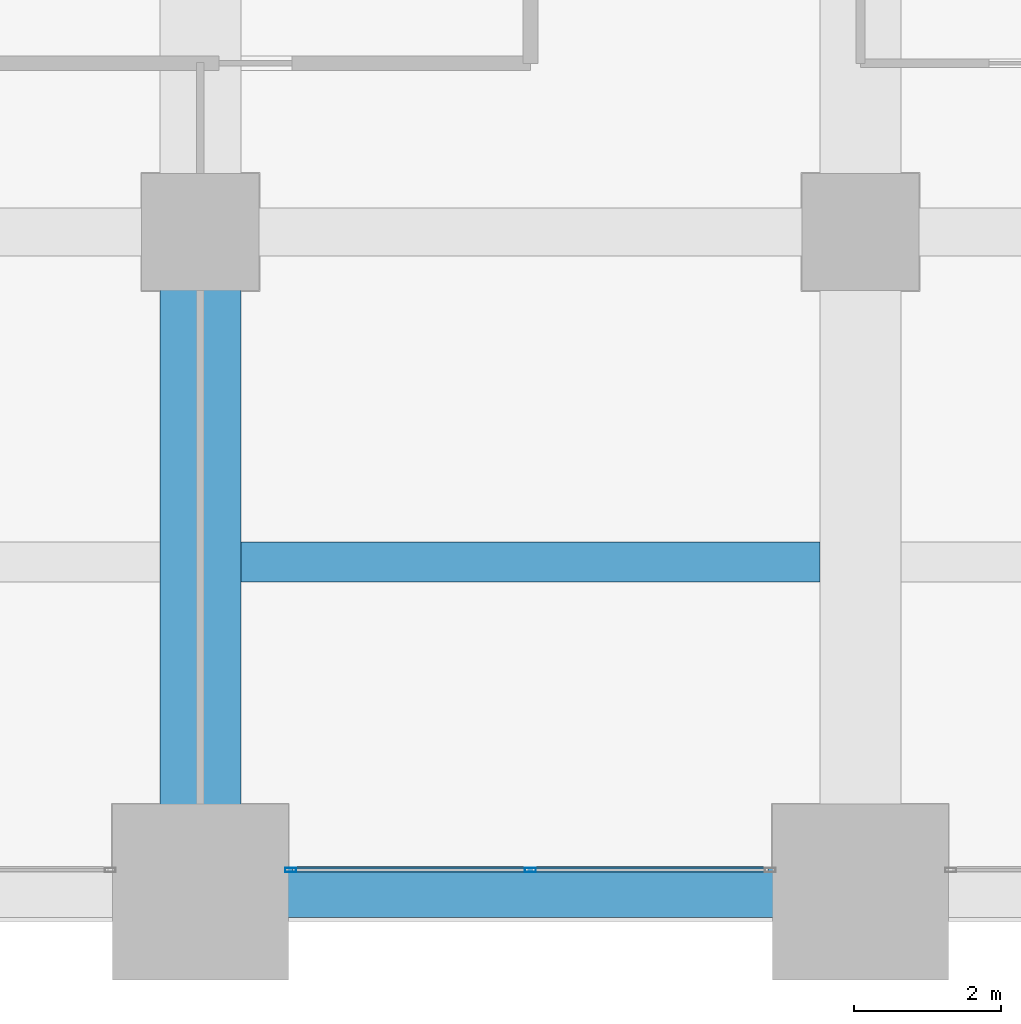
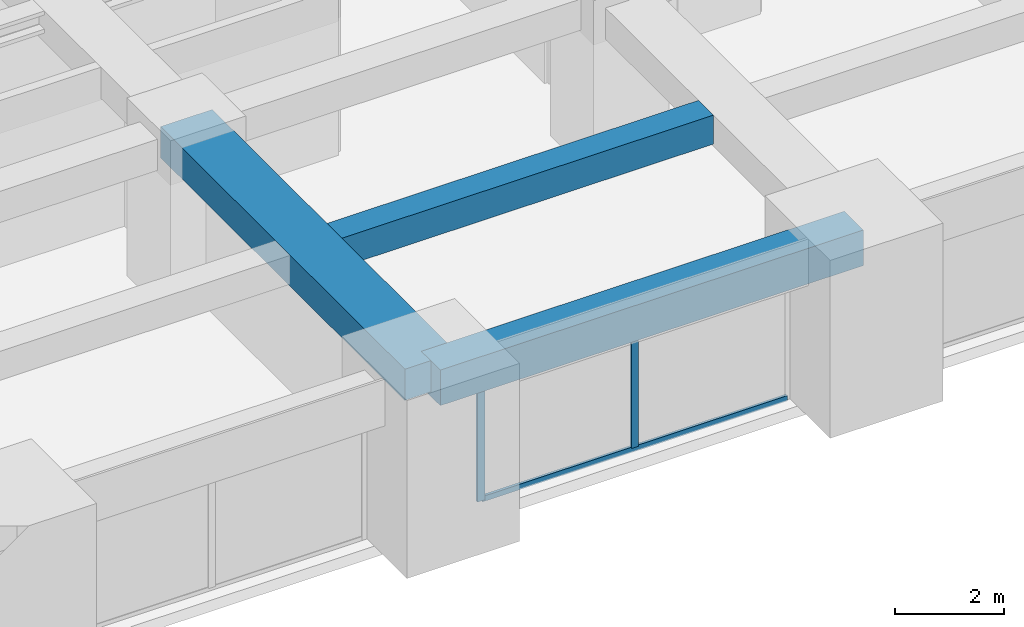
# One storey, part 7 of 32: 3 beams, 3 members, 1 element without a shape of its own.
"""IFC4 building model written with IfcOpenShell, lengths in metres."""

from ifc_helpers import new_model, si_unit, direction, frame, origin, origin_2d, place, context, subcontext, project, spatial, rectangle, hollow_rectangle, extrude, material, material_profile, profile_set, type_object, element, aggregate, save


model = new_model("IFC4")

# Units and contexts
model_context = context("Model", 3, precision=1e-05, world=origin(), true_north=direction((0.0, 1.0)))
body_context = subcontext(model_context, "Body", "Model", "MODEL_VIEW")
ifc_project = project(units=[si_unit("LENGTHUNIT", "METRE"), si_unit("AREAUNIT", "SQUARE_METRE"), si_unit("VOLUMEUNIT", "CUBIC_METRE"), si_unit("PLANEANGLEUNIT", "RADIAN"), si_unit("MASSUNIT", "GRAM", prefix="KILO")], contexts=[model_context])

# Site, building, storey
site_placement = place(None, origin())
site = spatial("IfcSite", under=ifc_project, at=site_placement, CompositionType="ELEMENT")
building_placement = place(site_placement, origin())
building = spatial("IfcBuilding", under=site, at=building_placement, Name="Zorevar Civic Tower", CompositionType="ELEMENT")
storey_placement = place(building_placement, frame((0.0, 0.0, 186.199951171875)))
storey = spatial("IfcBuildingStorey", under=building, at=storey_placement, Name="L45", CompositionType="ELEMENT", Elevation=186.199951171875)

# Beams
ifc_material_1 = material(Name="Concrete C50/60", Category="concrete")
ifc_material_profile_1 = material_profile(ifc_material_1, rectangle(XDim=1.10009765625, YDim=0.699951171875, at=origin_2d()), Name="RC 1100x700")
ifc_profile_set_1 = profile_set([ifc_material_profile_1], Name="Concrete C50/60")
beam_type_1 = type_object("IfcBeamType", Name="Beam RC 1100x700", PredefinedType="BEAM", material=ifc_profile_set_1)
beam_1_placement = place(storey_placement, frame((27.0, 0.0, 3.400146484375), z_axis=(0.0, 1.0, 0.0), x_axis=(-1.0, 0.0, 0.0)))
element("IfcBeam", 1, at=beam_1_placement, inside=storey, type_object=beam_type_1, Name="Girder L46", PredefinedType="BEAM", context=body_context, shape_type="SweptSolid", body=[
    extrude(rectangle(XDim=1.10009765625, YDim=0.699951171875, at=origin_2d()), origin(), (0.0, 0.0, 1.0), 9.0),
])
ifc_material_2 = material(Name="Concrete C50/60", Category="concrete")
ifc_material_profile_2 = material_profile(ifc_material_2, rectangle(XDim=0.550048828125, YDim=0.64990234375, at=origin_2d()), Name="RC 550x650")
ifc_profile_set_2 = profile_set([ifc_material_profile_2], Name="Concrete C50/60")
beam_type_2 = type_object("IfcBeamType", Name="Beam RC 550x650", PredefinedType="BEAM", material=ifc_profile_set_2)
beam_2_placement = place(storey_placement, frame((27.550048828125, 4.5, 3.425048828125), z_axis=(1.0, 0.0, 0.0), x_axis=(0.0, 1.0, 0.0)))
element("IfcBeam", 2, at=beam_2_placement, inside=storey, type_object=beam_type_2, Name="Secondary beam L46", PredefinedType="BEAM", context=body_context, shape_type="SweptSolid", body=[
    extrude(rectangle(XDim=0.550048828125, YDim=0.64990234375, at=origin_2d()), origin(), (0.0, 0.0, 1.0), 7.89990234375),
])

# Curtain wall, members
ifc_material_3 = material(Name="Dark grey solar-control glass in black aluminium frame", Category="aluminium")
curtain_wall_type = type_object("IfcCurtainWallType", Name="Curtain wall CW4 high zone", PredefinedType="NOTDEFINED", material=ifc_material_3)
curtain_wall_placement = place(storey_placement, origin())
curtain_wall = element("IfcCurtainWall", 3, at=curtain_wall_placement, inside=storey, type_object=curtain_wall_type, Name="CW4 L45", PredefinedType="NOTDEFINED")
ifc_material_4 = material(Name="Aluminium, black anodised", Category="aluminium")
ifc_material_profile_3 = material_profile(ifc_material_4, hollow_rectangle(XDim=0.06005859375, YDim=0.14990234375, WallThickness=0.00390625, at=origin_2d()), Name="AL 150x60x4")
ifc_profile_set_3 = profile_set([ifc_material_profile_3], Name="Aluminium, black anodised")
member_type_1 = type_object("IfcMemberType", Name="CW4 mullion AL 150x60x4", PredefinedType="MULLION", material=ifc_profile_set_3)
member_1_placement = place(storey_placement, frame((28.22998046875, 0.300048828125, 0.0), z_axis=(0.0, 0.0, 1.0), x_axis=(0.0, 1.0, 0.0)))
member_1 = element("IfcMember", 4, at=member_1_placement, type_object=member_type_1, Name="CW4 mullion 1", PredefinedType="MULLION", context=body_context, shape_type="SweptSolid", body=[
    extrude(hollow_rectangle(XDim=0.06005859375, YDim=0.14990234375, WallThickness=0.00390625, at=origin_2d()), origin(), (0.0, 0.0, 1.0), 2.949951171875),
])
member_2_placement = place(storey_placement, frame((31.5, 0.300048828125, 0.06005859375), z_axis=(0.0, 0.0, 1.0), x_axis=(0.0, 1.0, 0.0)))
member_2 = element("IfcMember", 5, at=member_2_placement, type_object=member_type_1, Name="CW4 mullion 2", PredefinedType="MULLION", context=body_context, shape_type="SweptSolid", body=[
    extrude(hollow_rectangle(XDim=0.06005859375, YDim=0.14990234375, WallThickness=0.00390625, at=origin_2d()), origin(), (0.0, 0.0, 1.0), 2.889892578125),
])
ifc_material_5 = material(Name="Aluminium, black anodised", Category="aluminium")
ifc_material_profile_4 = material_profile(ifc_material_5, hollow_rectangle(XDim=0.06005859375, YDim=0.1201171875, WallThickness=0.0029296875, at=origin_2d()), Name="AL 120x60x3")
ifc_profile_set_4 = profile_set([ifc_material_profile_4], Name="Aluminium, black anodised")
member_type_2 = type_object("IfcMemberType", Name="CW4 transom AL 120x60x3", PredefinedType="USERDEFINED", material=ifc_profile_set_4)
member_3_placement = place(storey_placement, frame((28.260009765625, 0.300048828125, 0.030029296875), z_axis=(1.0, 0.0, 0.0), x_axis=(0.0, 1.0, 0.0)))
member_3 = element("IfcMember", 6, at=member_3_placement, type_object=member_type_2, Name="CW4 sill transom", ObjectType="TRANSOM", PredefinedType="USERDEFINED", context=body_context, shape_type="SweptSolid", body=[
    extrude(hollow_rectangle(XDim=0.06005859375, YDim=0.1201171875, WallThickness=0.0029296875, at=origin_2d()), origin(), (0.0, 0.0, 1.0), 6.47998046875),
])
aggregate(curtain_wall, [member_1, member_2, member_3])

# Beam
ifc_material_6 = material(Name="Concrete C50/60", Category="concrete")
ifc_material_profile_5 = material_profile(ifc_material_6, rectangle(XDim=0.699951171875, YDim=0.800048828125, at=origin_2d()), Name="RC 700x800")
ifc_profile_set_5 = profile_set([ifc_material_profile_5], Name="Concrete C50/60")
beam_type_3 = type_object("IfcBeamType", Name="Edge beam RC 700x800", PredefinedType="SPANDREL", material=ifc_profile_set_5)
beam_3_placement = place(storey_placement, frame((27.0, 0.0, 3.35009765625), z_axis=(1.0, 0.0, 0.0), x_axis=(0.0, 1.0, 0.0)))
element("IfcBeam", 7, at=beam_3_placement, inside=storey, type_object=beam_type_3, Name="Edge beam L46", PredefinedType="SPANDREL", context=body_context, shape_type="SweptSolid", body=[
    extrude(rectangle(XDim=0.699951171875, YDim=0.800048828125, at=origin_2d()), origin(), (0.0, 0.0, 1.0), 9.0),
])

save(model, "model.ifc")
